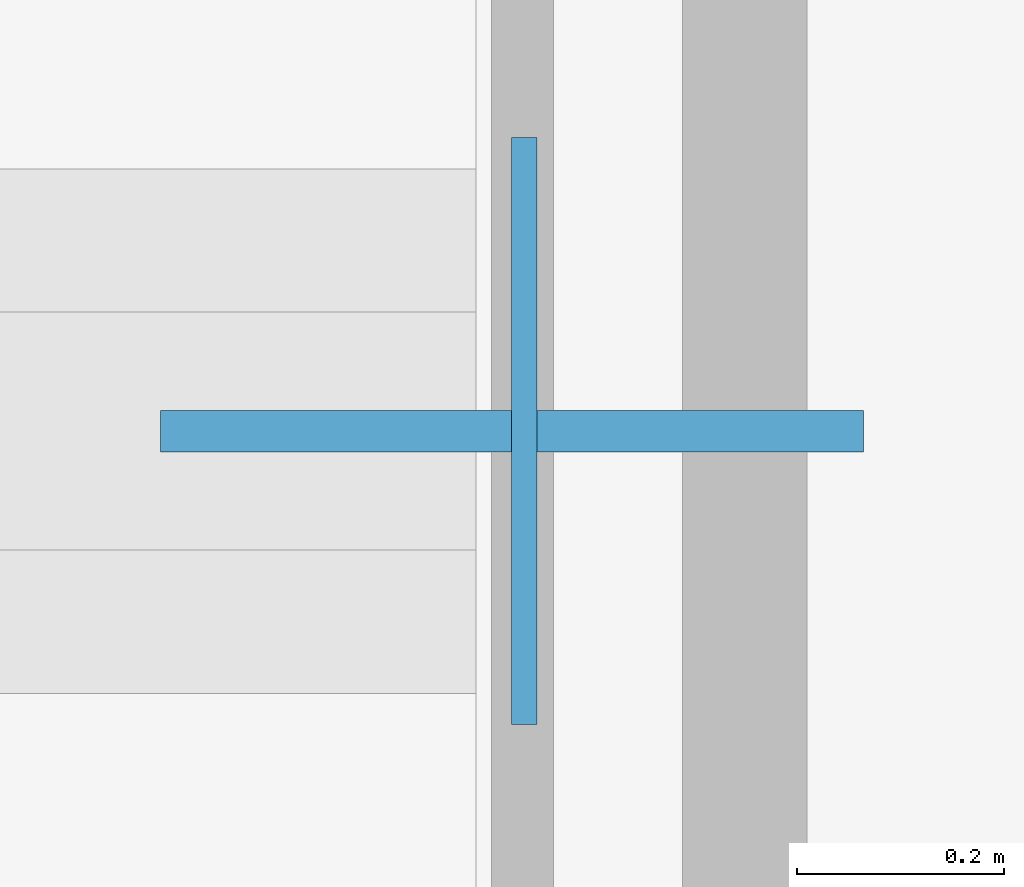
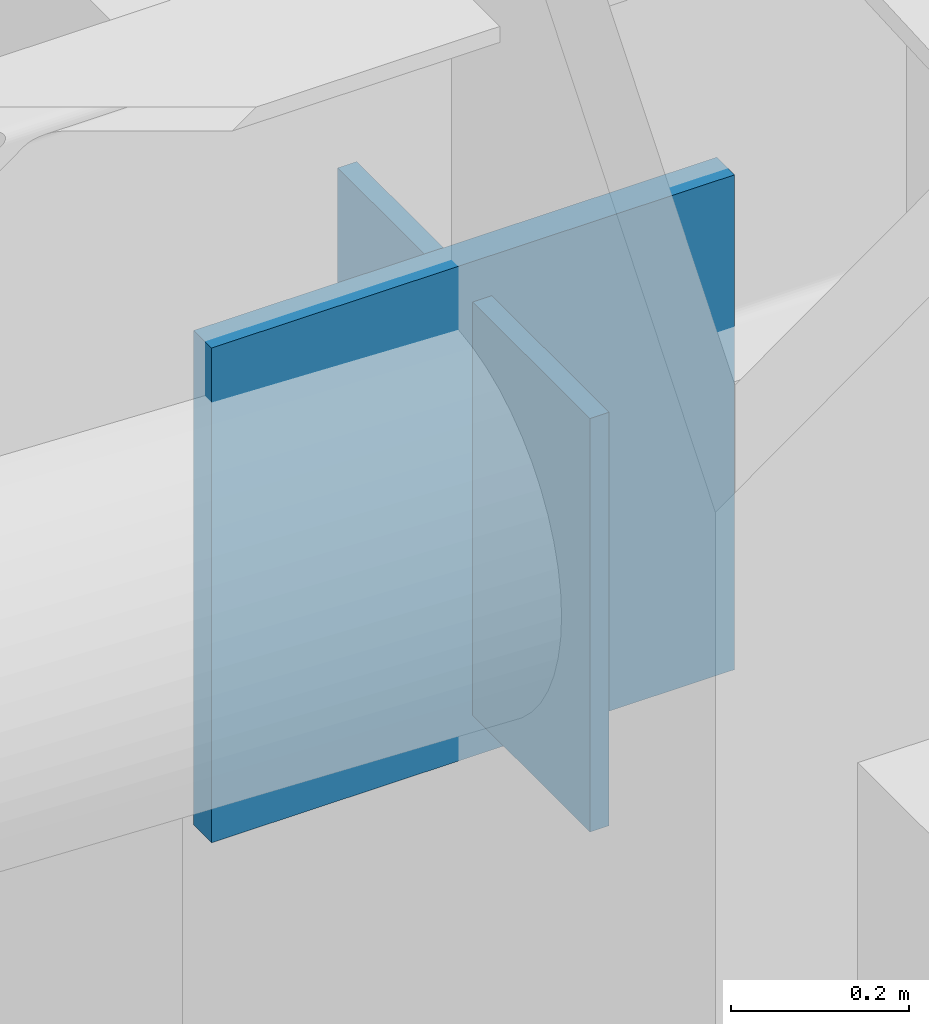
# One storey, part 8 of 18: 2 plates.
"""IFC4 building model written with IfcOpenShell, lengths in metres."""

from ifc_helpers import new_model, si_unit, direction, frame, origin, origin_2d, place, context, subcontext, project, spatial, rectangle, extrude, material, layer, layer_set, type_object, element, save


model = new_model("IFC4")

# Units and contexts
model_context = context("Model", 3, precision=1e-05, world=origin(), true_north=direction((0.0, 1.0)))
body_context = subcontext(model_context, "Body", "Model", "MODEL_VIEW")
ifc_project = project(units=[si_unit("LENGTHUNIT", "METRE"), si_unit("AREAUNIT", "SQUARE_METRE"), si_unit("VOLUMEUNIT", "CUBIC_METRE"), si_unit("PLANEANGLEUNIT", "RADIAN"), si_unit("MASSUNIT", "GRAM", prefix="KILO")], contexts=[model_context])

# Site, building, storey
site_placement = place(None, origin())
site = spatial("IfcSite", under=ifc_project, at=site_placement, CompositionType="ELEMENT")
building_placement = place(site_placement, origin())
building = spatial("IfcBuilding", under=site, at=building_placement, Name="Khamvora Tower", CompositionType="ELEMENT")
storey_placement = place(building_placement, frame((0.0, 0.0, 33.300048828125)))
storey = spatial("IfcBuildingStorey", under=building, at=storey_placement, Name="L07", CompositionType="ELEMENT", Elevation=33.300048828125)

# Plates
ifc_material_1 = material(Name="Steel S355", Category="steel")
ifc_layer_1 = layer(ifc_material_1, 0.02490234375)
ifc_layer_set_1 = layer_set([ifc_layer_1], Name="Steel S355")
plate_type_1 = type_object("IfcPlateType", Name="PL-CAP-25", PredefinedType="SHEET", material=ifc_layer_set_1)
plate_1_placement = place(storey_placement, frame((43.681884765625, 50.800048828125, 2.41796875), z_axis=(0.0, 0.0, 1.0), x_axis=(-1.0, 0.0, 0.0)))
element("IfcPlate", 1, at=plate_1_placement, inside=storey, type_object=plate_type_1, Name="L07 hollow section steel end cap plate 0558", PredefinedType="SHEET", context=body_context, shape_type="SweptSolid", body=[
    extrude(rectangle(XDim=0.02490234375, YDim=0.568115234375, at=origin_2d()), origin(), (0.0, 0.0, 1.0), 0.568115234375),
])
ifc_material_2 = material(Name="Steel S460", Category="steel")
ifc_layer_2 = layer(ifc_material_2, 0.0400390625)
ifc_layer_set_2 = layer_set([ifc_layer_2], Name="Steel S460")
plate_type_2 = type_object("IfcPlateType", Name="PLT-GUS-40", PredefinedType="SHEET", material=ifc_layer_set_2)
plate_2_placement = place(storey_placement, frame((43.669921875, 50.800048828125, 2.36181640625), z_axis=(0.0, 0.0, 1.0), x_axis=(1.0, 0.0, 0.0)))
element("IfcPlate", 2, at=plate_2_placement, inside=storey, type_object=plate_type_2, Name="L07 brace connection node gusset plate 0075", PredefinedType="SHEET", context=body_context, shape_type="SweptSolid", body=[
    extrude(rectangle(XDim=0.679931640625, YDim=0.0400390625, at=origin_2d()), origin(), (0.0, 0.0, 1.0), 0.679931640625),
])

save(model, "model.ifc")
